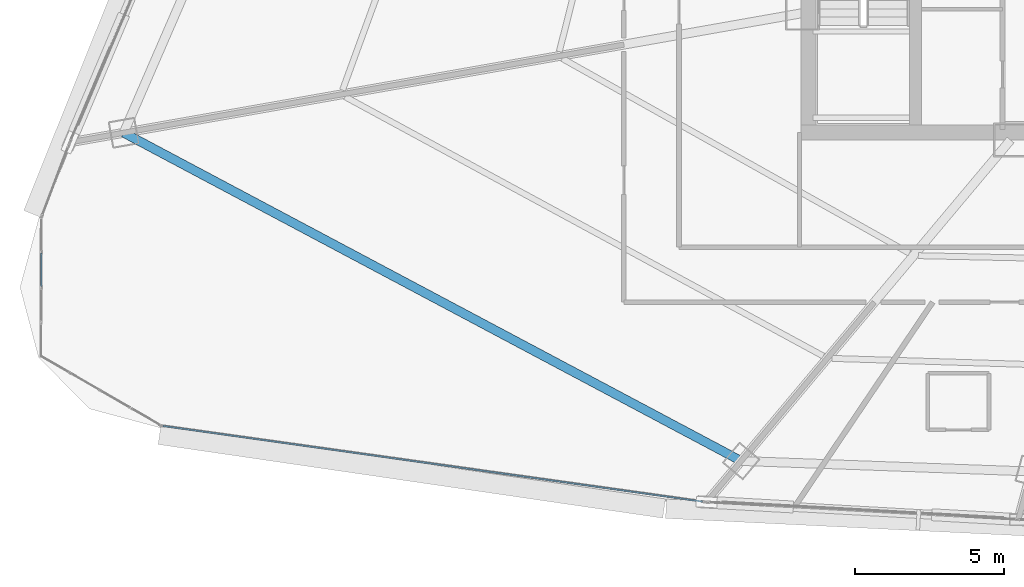
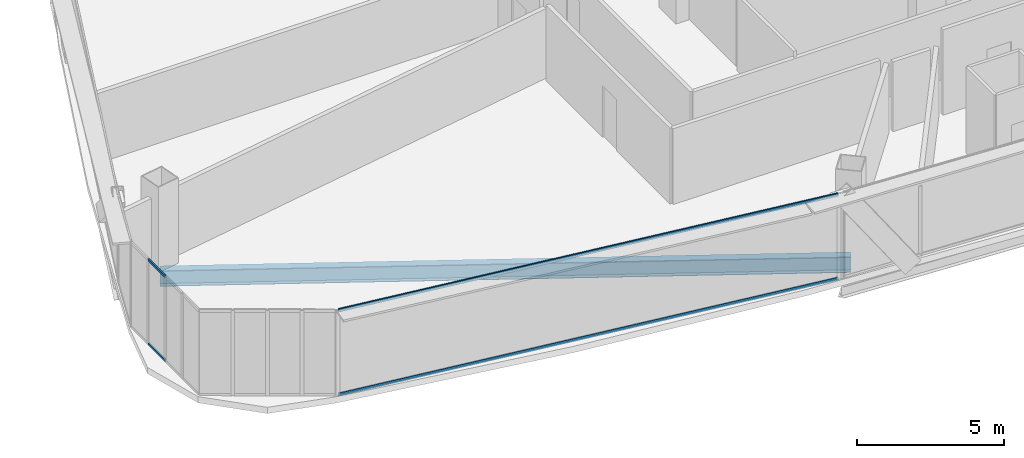
# One storey, part 3 of 38: 4 members, 1 beam, 2 elements without a shape of their own.
"""IFC4 building model written with IfcOpenShell, lengths in metres."""

from ifc_helpers import new_model, si_unit, direction, frame, origin, origin_2d, place, context, subcontext, project, spatial, hollow_rectangle, i_section, extrude, source, transform, mapped, material, layer, layer_set, material_profile, profile_set, type_object, element, aggregate, save


model = new_model("IFC4")

# Units and contexts
model_context = context("Model", 3, precision=1e-05, world=origin(), true_north=direction((0.0, 1.0)))
body_context = subcontext(model_context, "Body", "Model", "MODEL_VIEW")
ifc_project = project(units=[si_unit("LENGTHUNIT", "METRE"), si_unit("AREAUNIT", "SQUARE_METRE"), si_unit("VOLUMEUNIT", "CUBIC_METRE"), si_unit("PLANEANGLEUNIT", "RADIAN"), si_unit("MASSUNIT", "GRAM", prefix="KILO"), si_unit("THERMODYNAMICTEMPERATUREUNIT", "KELVIN"), si_unit("POWERUNIT", "WATT")], contexts=[model_context])

# Site, building, storey
site_placement = place(None, origin())
site = spatial("IfcSite", under=ifc_project, at=site_placement, CompositionType="ELEMENT")
building_placement = place(site_placement, origin())
building = spatial("IfcBuilding", under=site, at=building_placement, Name="Yunzhuo Pagoda Commons", CompositionType="ELEMENT")
storey_placement = place(building_placement, frame((0.0, 0.0, 203.760009765625)))
storey = spatial("IfcBuildingStorey", under=building, at=storey_placement, Name="L51", CompositionType="ELEMENT", Elevation=203.760009765625)

# Beam
ifc_material_1 = material(Name="Structural steel Q355B", Category="steel")
ifc_material_profile_1 = material_profile(ifc_material_1, i_section(OverallWidth=0.300048828125, OverallDepth=0.64990234375, WebThickness=0.012939453125, FlangeThickness=0.02197265625, at=origin_2d()), Name="Structural steel Q355B")
ifc_profile_set_1 = profile_set([ifc_material_profile_1], Name="Structural steel Q355B")
beam_type = type_object("IfcBeamType", Name="B-RG2 Beam HN 650x300x13x22", PredefinedType="BEAM", material=ifc_profile_set_1)
shared_shape_1 = source(origin(), body_context, "Body", "SweptSolid", [
    extrude(i_section(OverallWidth=0.300048828125, OverallDepth=0.64990234375, WebThickness=0.012939453125, FlangeThickness=0.02197265625, at=origin_2d()), origin(), (0.0, 0.0, 1.0), 23.49365234375),
])
beam_placement = place(storey_placement, frame((12.79345703125, 27.492431640625, -0.5849609375), z_axis=(0.883016269865, -0.469342377325, 0.0), x_axis=(0.469342377325, 0.883016269865, 0.0)))
element("IfcBeam", 1, at=beam_placement, inside=storey, type_object=beam_type, Name="L51 column-ring beam 12", PredefinedType="BEAM", context=body_context, shape_type="MappedRepresentation", body=[
    mapped(shared_shape_1, transform((0.0, 0.0, 0.0), scale=1.0)),
])

# Curtain wall, members
ifc_material_2 = material(Name="Anodized aluminium 6063-T6", Category="aluminium")
ifc_layer_1 = layer(ifc_material_2, 0.14990234375)
ifc_layer_set_1 = layer_set([ifc_layer_1], Name="Anodized aluminium 6063-T6")
curtain_wall_type_1 = type_object("IfcCurtainWallType", Name="CW-MID Mid-Zone Ribbon Curtain Wall", PredefinedType="NOTDEFINED", material=ifc_layer_set_1)
curtain_wall_1_placement = place(storey_placement, origin())
curtain_wall_1 = element("IfcCurtainWall", 2, at=curtain_wall_1_placement, inside=storey, type_object=curtain_wall_type_1, Name="L51 curtain wall CW-L51-F1B1", PredefinedType="NOTDEFINED")
ifc_material_profile_2 = material_profile(ifc_material_2, hollow_rectangle(XDim=0.054931640625, YDim=0.1298828125, WallThickness=0.00341796875, at=origin_2d()), Name="Anodized aluminium 6063-T6")
ifc_profile_set_2 = profile_set([ifc_material_profile_2], Name="Anodized aluminium 6063-T6")
member_type_1 = type_object("IfcMemberType", Name="CW-MID-T Transom RHS 130x55x3.5", PredefinedType="USERDEFINED", material=ifc_profile_set_2)
shared_shape_2 = source(origin(), body_context, "Body", "SweptSolid", [
    extrude(hollow_rectangle(XDim=0.054931640625, YDim=0.1298828125, WallThickness=0.00341796875, at=origin_2d()), origin(), (0.0, 0.0, 1.0), 18.3125),
])
member_1_placement = place(storey_placement, frame((14.109130859375, 17.6435546875, 0.027587890625), z_axis=(0.990316981447, -0.138824624106, 0.0), x_axis=(0.138824624106, 0.990316981447, 0.0)))
member_1 = element("IfcMember", 3, at=member_1_placement, type_object=member_type_1, Name="CW transom 1.1", ObjectType="TRANSOM", PredefinedType="USERDEFINED", context=body_context, shape_type="MappedRepresentation", body=[
    mapped(shared_shape_2, transform((0.0, 0.0, 0.0), scale=1.0)),
])
member_2_placement = place(storey_placement, frame((14.109130859375, 17.6435546875, 3.512451171875), z_axis=(0.990316981447, -0.138824624106, 0.0), x_axis=(0.138824624106, 0.990316981447, 0.0)))
member_2 = element("IfcMember", 4, at=member_2_placement, type_object=member_type_1, Name="CW transom 1.2", ObjectType="TRANSOM", PredefinedType="USERDEFINED", context=body_context, shape_type="MappedRepresentation", body=[
    mapped(shared_shape_2, transform((0.0, 0.0, 0.0), scale=1.0)),
])
aggregate(curtain_wall_1, [member_1, member_2])

ifc_layer_2 = layer(ifc_material_2, 0.1298828125)
ifc_layer_set_2 = layer_set([ifc_layer_2], Name="Anodized aluminium 6063-T6")
curtain_wall_type_2 = type_object("IfcCurtainWallType", Name="CW-VTX Rounded Corner Curtain Wall", PredefinedType="NOTDEFINED", material=ifc_layer_set_2)
curtain_wall_2_placement = place(storey_placement, origin())
curtain_wall_2 = element("IfcCurtainWall", 5, at=curtain_wall_2_placement, inside=storey, type_object=curtain_wall_type_2, Name="L51 curtain wall CW-L51-VTX1S1", PredefinedType="NOTDEFINED")
ifc_material_profile_3 = material_profile(ifc_material_2, hollow_rectangle(XDim=0.054931640625, YDim=0.1201171875, WallThickness=0.00341796875, at=origin_2d()), Name="Anodized aluminium 6063-T6")
ifc_profile_set_3 = profile_set([ifc_material_profile_3], Name="Anodized aluminium 6063-T6")
member_type_2 = type_object("IfcMemberType", Name="CW-VTX-T Transom RHS 120x55x3.5", PredefinedType="USERDEFINED", material=ifc_profile_set_3)
shared_shape_3 = source(origin(), body_context, "Body", "SweptSolid", [
    extrude(hollow_rectangle(XDim=0.054931640625, YDim=0.1201171875, WallThickness=0.00341796875, at=origin_2d()), origin(), (0.0, 0.0, 1.0), 1.12255859375),
])
member_3_placement = place(storey_placement, frame((10.025390625, 23.44775390625, 0.027587890625), z_axis=(-0.003479752747, -0.999993945642, 0.0), x_axis=(0.999993945642, -0.003479752747, 0.0)))
member_3 = element("IfcMember", 6, at=member_3_placement, type_object=member_type_2, Name="CW transom 2.1", ObjectType="TRANSOM", PredefinedType="USERDEFINED", context=body_context, shape_type="MappedRepresentation", body=[
    mapped(shared_shape_3, transform((0.0, 0.0, 0.0), scale=1.0)),
])
member_4_placement = place(storey_placement, frame((10.025390625, 23.44775390625, 3.512451171875), z_axis=(-0.003479752747, -0.999993945642, 0.0), x_axis=(0.999993945642, -0.003479752747, 0.0)))
member_4 = element("IfcMember", 7, at=member_4_placement, type_object=member_type_2, Name="CW transom 2.2", ObjectType="TRANSOM", PredefinedType="USERDEFINED", context=body_context, shape_type="MappedRepresentation", body=[
    mapped(shared_shape_3, transform((0.0, 0.0, 0.0), scale=1.0)),
])
aggregate(curtain_wall_2, [member_3, member_4])

save(model, "model.ifc")
